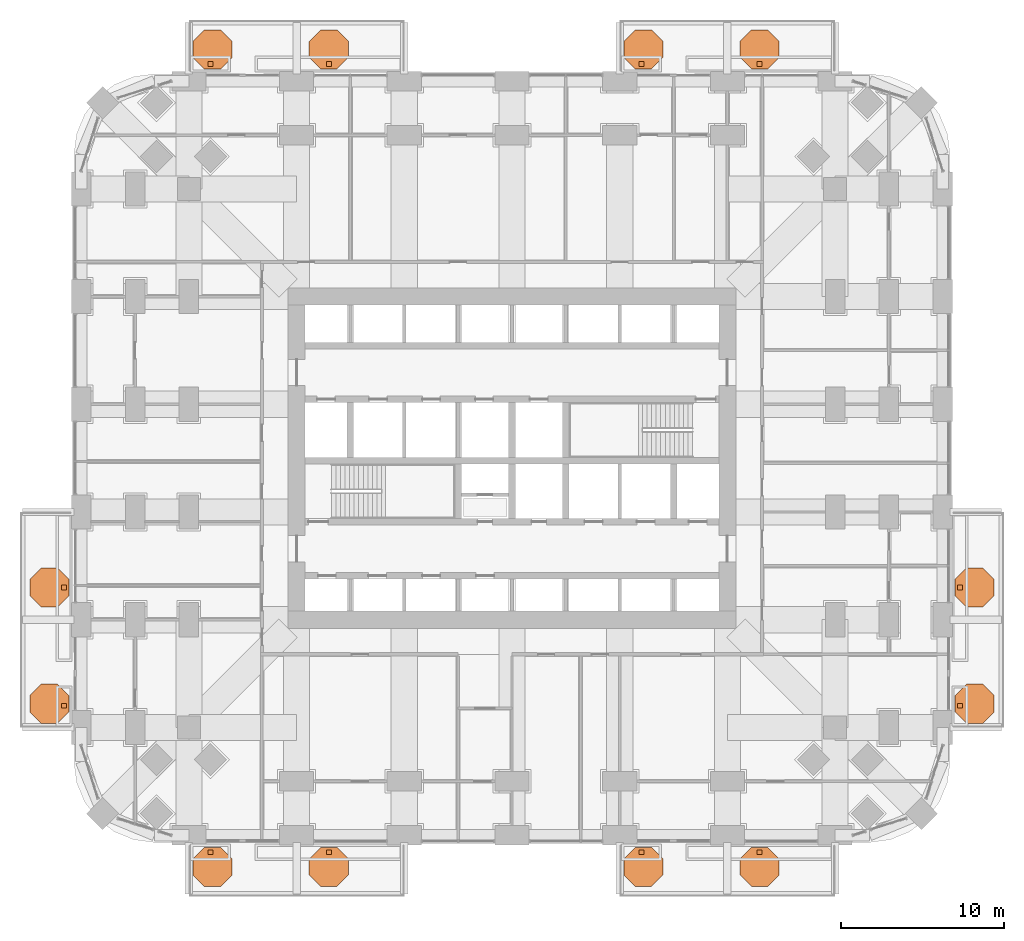
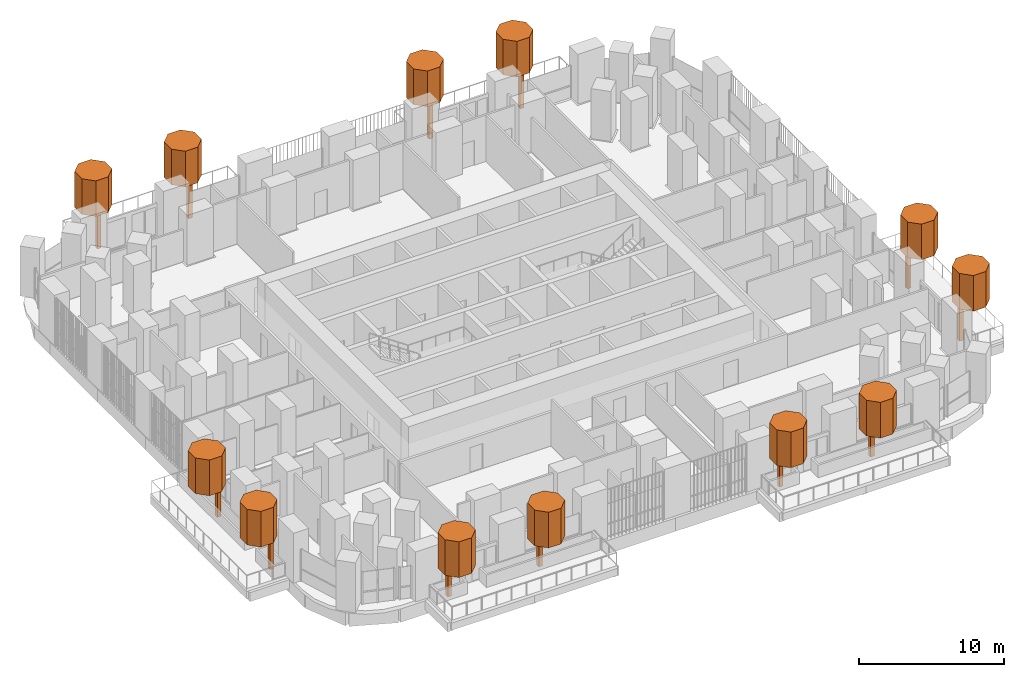
# One storey, part 27 of 27: 24 geographic elements.
"""IFC4 building model written with IfcOpenShell, lengths in metres."""

from ifc_helpers import new_model, si_unit, direction, frame, origin, origin_2d, place, context, subcontext, project, spatial, polyline, rectangle, outline, extrude, material, type_object, element, save


model = new_model("IFC4")

# Units and contexts
model_context = context("Model", 3, precision=1e-05, world=origin(), true_north=direction((0.0, 1.0)))
body_context = subcontext(model_context, "Body", "Model", "MODEL_VIEW")
ifc_project = project(units=[si_unit("LENGTHUNIT", "METRE"), si_unit("AREAUNIT", "SQUARE_METRE"), si_unit("VOLUMEUNIT", "CUBIC_METRE"), si_unit("PLANEANGLEUNIT", "RADIAN"), si_unit("MASSUNIT", "GRAM", prefix="KILO")], contexts=[model_context])

# Site, building, storey
site_placement = place(None, origin())
site = spatial("IfcSite", under=ifc_project, at=site_placement, CompositionType="ELEMENT")
building_placement = place(site_placement, origin())
building = spatial("IfcBuilding", under=site, at=building_placement, Name="Cobogo Forest Laboratory Tower", CompositionType="ELEMENT")
storey_placement = place(building_placement, frame((0.0, 0.0, 54.89990234375)))
storey = spatial("IfcBuildingStorey", under=building, at=storey_placement, Name="L12", CompositionType="ELEMENT", Elevation=54.89990234375)

# Geographic elements
ifc_material = material(Name="Planting", Category="plant")
geographic_element_type_1 = type_object("IfcGeographicElementType", Name="Tree trunk 300", PredefinedType="USERDEFINED", material=ifc_material)
for number, where, z_axis, x_axis, name in (
    (1, (7.925048828125, -1.050048828125, 0.000244140625), (0.0, 0.0, 1.0), (1.0, 0.0, 0.0), "Tree trunk BAL-S1-PL1 L12"),
    (2, (15.175048828125, -1.050048828125, 0.000244140625), (0.0, 0.0, 1.0), (1.0, 0.0, 0.0), "Tree trunk BAL-S1-PL2 L12"),
    (3, (34.324951171875, -1.050048828125, 0.000244140625), (0.0, 0.0, 1.0), (1.0, 0.0, 0.0), "Tree trunk BAL-S2-PL1 L12"),
    (4, (41.574951171875, -1.050048828125, 0.000244140625), (0.0, 0.0, 1.0), (1.0, 0.0, 0.0), "Tree trunk BAL-S2-PL2 L12"),
    (5, (53.85009765625, 7.925048828125, 0.000244140625), (0.0, 0.0, 1.0), (1.0, 0.0, 0.0), "Tree trunk BAL-E1-PL1 L12"),
    (6, (53.85009765625, 15.175048828125, 0.000244140625), (0.0, 0.0, 1.0), (1.0, 0.0, 0.0), "Tree trunk BAL-E1-PL2 L12"),
    (7, (7.925048828125, 47.25, 0.000244140625), (0.0, 0.0, 1.0), (1.0, 0.0, 0.0), "Tree trunk BAL-N1-PL1 L12"),
    (8, (15.175048828125, 47.25, 0.000244140625), (0.0, 0.0, 1.0), (1.0, 0.0, 0.0), "Tree trunk BAL-N1-PL2 L12"),
    (9, (34.324951171875, 47.25, 0.000244140625), (0.0, 0.0, 1.0), (1.0, 0.0, 0.0), "Tree trunk BAL-N2-PL1 L12"),
    (10, (41.574951171875, 47.25, 0.000244140625), (0.0, 0.0, 1.0), (1.0, 0.0, 0.0), "Tree trunk BAL-N2-PL2 L12"),
    (11, (-1.050048828125, 7.925048828125, 0.000244140625), (0.0, 0.0, 1.0), (1.0, 0.0, 0.0), "Tree trunk BAL-W1-PL1 L12"),
    (12, (-1.050048828125, 15.175048828125, 0.000244140625), (0.0, 0.0, 1.0), (1.0, 0.0, 0.0), "Tree trunk BAL-W1-PL2 L12"),
):
    element("IfcGeographicElement", number, at=place(storey_placement, frame(where, z_axis=z_axis, x_axis=x_axis)), inside=storey, type_object=geographic_element_type_1, Name=name, ObjectType="TREE TRUNK", PredefinedType="USERDEFINED", context=body_context, shape_type="SweptSolid", body=[
        extrude(rectangle(XDim=0.300048828125, YDim=0.300048828125, at=origin_2d()), origin(), (0.0, 0.0, 1.0), 2.89990234375),
    ])
geographic_element_type_2 = type_object("IfcGeographicElementType", Name="Tree, holm oak 5 m", PredefinedType="USERDEFINED", material=ifc_material)
geographic_element_1_placement = place(storey_placement, frame((0.0, 0.0, 2.900146484375)))
element("IfcGeographicElement", 13, at=geographic_element_1_placement, inside=storey, type_object=geographic_element_type_2, Name="Holm tree BAL-S1-PL1 L12", ObjectType="TREE", PredefinedType="USERDEFINED", context=body_context, shape_type="SweptSolid", body=[
    extrude(outline(polyline([(9.25, -2.447021484375), (9.25, -1.452880859375), (8.547119140625, -0.75), (7.552978515625, -0.75), (6.85009765625, -1.452880859375), (6.85009765625, -2.447021484375), (7.552978515625, -3.14990234375), (8.547119140625, -3.14990234375), (9.25, -2.447021484375)])), origin(), (0.0, 0.0, 1.0), 3.0),
])
geographic_element_2_placement = place(storey_placement, frame((0.0, 0.0, 2.900146484375)))
element("IfcGeographicElement", 14, at=geographic_element_2_placement, inside=storey, type_object=geographic_element_type_2, Name="Holm tree BAL-S1-PL2 L12", ObjectType="TREE", PredefinedType="USERDEFINED", context=body_context, shape_type="SweptSolid", body=[
    extrude(outline(polyline([(16.375, -2.447021484375), (16.375, -1.452880859375), (15.672119140625, -0.75), (14.677978515625, -0.75), (13.97509765625, -1.452880859375), (13.97509765625, -2.447021484375), (14.677978515625, -3.14990234375), (15.672119140625, -3.14990234375), (16.375, -2.447021484375)])), origin(), (0.0, 0.0, 1.0), 3.0),
])
geographic_element_3_placement = place(storey_placement, frame((0.0, 0.0, 2.900146484375)))
element("IfcGeographicElement", 15, at=geographic_element_3_placement, inside=storey, type_object=geographic_element_type_2, Name="Holm tree BAL-S2-PL1 L12", ObjectType="TREE", PredefinedType="USERDEFINED", context=body_context, shape_type="SweptSolid", body=[
    extrude(outline(polyline([(35.64990234375, -2.447021484375), (35.64990234375, -1.452880859375), (34.947021484375, -0.75), (33.952880859375, -0.75), (33.25, -1.452880859375), (33.25, -2.447021484375), (33.952880859375, -3.14990234375), (34.947021484375, -3.14990234375), (35.64990234375, -2.447021484375)])), origin(), (0.0, 0.0, 1.0), 3.0),
])
geographic_element_4_placement = place(storey_placement, frame((0.0, 0.0, 2.900146484375)))
element("IfcGeographicElement", 16, at=geographic_element_4_placement, inside=storey, type_object=geographic_element_type_2, Name="Holm tree BAL-S2-PL2 L12", ObjectType="TREE", PredefinedType="USERDEFINED", context=body_context, shape_type="SweptSolid", body=[
    extrude(outline(polyline([(42.77490234375, -2.447021484375), (42.77490234375, -1.452880859375), (42.072021484375, -0.75), (41.077880859375, -0.75), (40.375, -1.452880859375), (40.375, -2.447021484375), (41.077880859375, -3.14990234375), (42.072021484375, -3.14990234375), (42.77490234375, -2.447021484375)])), origin(), (0.0, 0.0, 1.0), 3.0),
])
geographic_element_5_placement = place(storey_placement, frame((0.0, 0.0, 2.900146484375)))
element("IfcGeographicElement", 17, at=geographic_element_5_placement, inside=storey, type_object=geographic_element_type_2, Name="Holm tree BAL-E1-PL1 L12", ObjectType="TREE", PredefinedType="USERDEFINED", context=body_context, shape_type="SweptSolid", body=[
    extrude(outline(polyline([(55.949951171875, 7.552978515625), (55.949951171875, 8.547119140625), (55.2470703125, 9.25), (54.2529296875, 9.25), (53.550048828125, 8.547119140625), (53.550048828125, 7.552978515625), (54.2529296875, 6.85009765625), (55.2470703125, 6.85009765625), (55.949951171875, 7.552978515625)])), origin(), (0.0, 0.0, 1.0), 3.0),
])
geographic_element_6_placement = place(storey_placement, frame((0.0, 0.0, 2.900146484375)))
element("IfcGeographicElement", 18, at=geographic_element_6_placement, inside=storey, type_object=geographic_element_type_2, Name="Holm tree BAL-E1-PL2 L12", ObjectType="TREE", PredefinedType="USERDEFINED", context=body_context, shape_type="SweptSolid", body=[
    extrude(outline(polyline([(55.949951171875, 14.677978515625), (55.949951171875, 15.672119140625), (55.2470703125, 16.375), (54.2529296875, 16.375), (53.550048828125, 15.672119140625), (53.550048828125, 14.677978515625), (54.2529296875, 13.97509765625), (55.2470703125, 13.97509765625), (55.949951171875, 14.677978515625)])), origin(), (0.0, 0.0, 1.0), 3.0),
])
geographic_element_7_placement = place(storey_placement, frame((0.0, 0.0, 2.900146484375)))
element("IfcGeographicElement", 19, at=geographic_element_7_placement, inside=storey, type_object=geographic_element_type_2, Name="Holm tree BAL-N1-PL1 L12", ObjectType="TREE", PredefinedType="USERDEFINED", context=body_context, shape_type="SweptSolid", body=[
    extrude(outline(polyline([(9.25, 47.65283203125), (9.25, 48.64697265625), (8.547119140625, 49.35009765625), (7.552978515625, 49.35009765625), (6.85009765625, 48.64697265625), (6.85009765625, 47.65283203125), (7.552978515625, 46.949951171875), (8.547119140625, 46.949951171875), (9.25, 47.65283203125)])), origin(), (0.0, 0.0, 1.0), 3.0),
])
geographic_element_8_placement = place(storey_placement, frame((0.0, 0.0, 2.900146484375)))
element("IfcGeographicElement", 20, at=geographic_element_8_placement, inside=storey, type_object=geographic_element_type_2, Name="Holm tree BAL-N1-PL2 L12", ObjectType="TREE", PredefinedType="USERDEFINED", context=body_context, shape_type="SweptSolid", body=[
    extrude(outline(polyline([(16.375, 47.65283203125), (16.375, 48.64697265625), (15.672119140625, 49.35009765625), (14.677978515625, 49.35009765625), (13.97509765625, 48.64697265625), (13.97509765625, 47.65283203125), (14.677978515625, 46.949951171875), (15.672119140625, 46.949951171875), (16.375, 47.65283203125)])), origin(), (0.0, 0.0, 1.0), 3.0),
])
geographic_element_9_placement = place(storey_placement, frame((0.0, 0.0, 2.900146484375)))
element("IfcGeographicElement", 21, at=geographic_element_9_placement, inside=storey, type_object=geographic_element_type_2, Name="Holm tree BAL-N2-PL1 L12", ObjectType="TREE", PredefinedType="USERDEFINED", context=body_context, shape_type="SweptSolid", body=[
    extrude(outline(polyline([(35.64990234375, 47.65283203125), (35.64990234375, 48.64697265625), (34.947021484375, 49.35009765625), (33.952880859375, 49.35009765625), (33.25, 48.64697265625), (33.25, 47.65283203125), (33.952880859375, 46.949951171875), (34.947021484375, 46.949951171875), (35.64990234375, 47.65283203125)])), origin(), (0.0, 0.0, 1.0), 3.0),
])
geographic_element_10_placement = place(storey_placement, frame((0.0, 0.0, 2.900146484375)))
element("IfcGeographicElement", 22, at=geographic_element_10_placement, inside=storey, type_object=geographic_element_type_2, Name="Holm tree BAL-N2-PL2 L12", ObjectType="TREE", PredefinedType="USERDEFINED", context=body_context, shape_type="SweptSolid", body=[
    extrude(outline(polyline([(42.77490234375, 47.65283203125), (42.77490234375, 48.64697265625), (42.072021484375, 49.35009765625), (41.077880859375, 49.35009765625), (40.375, 48.64697265625), (40.375, 47.65283203125), (41.077880859375, 46.949951171875), (42.072021484375, 46.949951171875), (42.77490234375, 47.65283203125)])), origin(), (0.0, 0.0, 1.0), 3.0),
])
geographic_element_11_placement = place(storey_placement, frame((0.0, 0.0, 2.900146484375)))
element("IfcGeographicElement", 23, at=geographic_element_11_placement, inside=storey, type_object=geographic_element_type_2, Name="Holm tree BAL-W1-PL1 L12", ObjectType="TREE", PredefinedType="USERDEFINED", context=body_context, shape_type="SweptSolid", body=[
    extrude(outline(polyline([(-0.75, 7.552978515625), (-0.75, 8.547119140625), (-1.452880859375, 9.25), (-2.447021484375, 9.25), (-3.14990234375, 8.547119140625), (-3.14990234375, 7.552978515625), (-2.447021484375, 6.85009765625), (-1.452880859375, 6.85009765625), (-0.75, 7.552978515625)])), origin(), (0.0, 0.0, 1.0), 3.0),
])
geographic_element_12_placement = place(storey_placement, frame((0.0, 0.0, 2.900146484375)))
element("IfcGeographicElement", 24, at=geographic_element_12_placement, inside=storey, type_object=geographic_element_type_2, Name="Holm tree BAL-W1-PL2 L12", ObjectType="TREE", PredefinedType="USERDEFINED", context=body_context, shape_type="SweptSolid", body=[
    extrude(outline(polyline([(-0.75, 14.677978515625), (-0.75, 15.672119140625), (-1.452880859375, 16.375), (-2.447021484375, 16.375), (-3.14990234375, 15.672119140625), (-3.14990234375, 14.677978515625), (-2.447021484375, 13.97509765625), (-1.452880859375, 13.97509765625), (-0.75, 14.677978515625)])), origin(), (0.0, 0.0, 1.0), 3.0),
])

save(model, "model.ifc")
